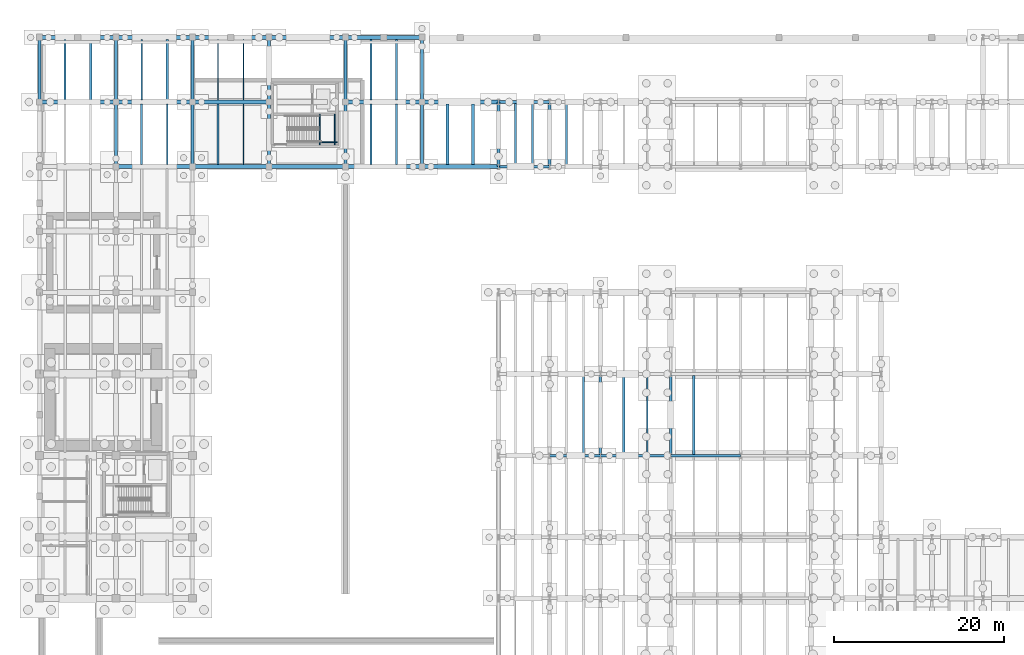
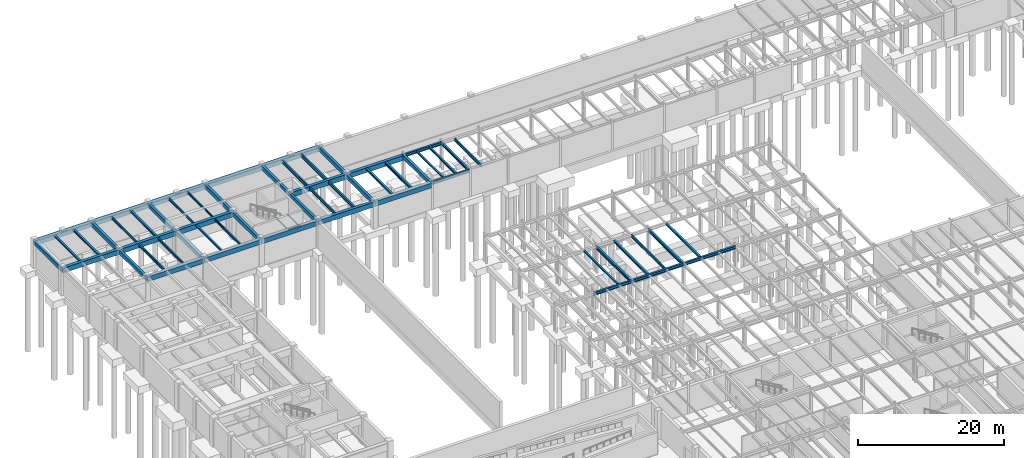
# One storey, part 33 of 59: 61 beams.
"""IFC4 building model written with IfcOpenShell, lengths in metres."""

from ifc_helpers import new_model, si_unit, direction, frame, origin, origin_2d, place, context, subcontext, project, spatial, rectangle, i_section, extrude, material, material_profile, profile_set, type_object, element, save


model = new_model("IFC4")

# Units and contexts
model_context = context("Model", 3, precision=1e-05, world=origin(), true_north=direction((0.0, 1.0)))
body_context = subcontext(model_context, "Body", "Model", "MODEL_VIEW")
ifc_project = project(units=[si_unit("LENGTHUNIT", "METRE"), si_unit("AREAUNIT", "SQUARE_METRE"), si_unit("VOLUMEUNIT", "CUBIC_METRE"), si_unit("PLANEANGLEUNIT", "RADIAN"), si_unit("MASSUNIT", "GRAM", prefix="KILO")], contexts=[model_context])

# Site, building, storey
site_placement = place(None, origin())
site = spatial("IfcSite", under=ifc_project, at=site_placement, CompositionType="ELEMENT")
building_placement = place(site_placement, origin())
building = spatial("IfcBuilding", under=site, at=building_placement, Name="Montealbar Specialist Clinic", CompositionType="ELEMENT")
storey_placement = place(building_placement, frame((0.0, 0.0, -4.800048828125)))
storey = spatial("IfcBuildingStorey", under=building, at=storey_placement, Name="B01", CompositionType="ELEMENT", Elevation=-4.800048828125)

# Beams
ifc_material_1 = material(Name="Steel S355", Category="steel")
ifc_material_profile_1 = material_profile(ifc_material_1, i_section(OverallWidth=0.300048828125, OverallDepth=0.449951171875, WebThickness=0.013916015625, FlangeThickness=0.02587890625, FilletRadius=0.027099609375, at=origin_2d()), Name="HEB 450", Category="steel")
ifc_profile_set_1 = profile_set([ifc_material_profile_1], Name="Steel S355")
beam_type_1 = type_object("IfcBeamType", Name="BM-GIRD-HEB450-EXT", PredefinedType="BEAM", material=ifc_profile_set_1)
beam_1_placement = place(storey_placement, frame((60.0, 95.800048828125, 4.275146484375), z_axis=(0.0, 1.0, 0.0), x_axis=(-1.0, 0.0, 0.0)))
element("IfcBeam", 1, at=beam_1_placement, inside=storey, type_object=beam_type_1, Name="Beam GY-B01-600-958-1034", PredefinedType="BEAM", context=body_context, shape_type="SweptSolid", body=[
    extrude(i_section(OverallWidth=0.300048828125, OverallDepth=0.449951171875, WebThickness=0.013916015625, FlangeThickness=0.02587890625, FilletRadius=0.027099609375, at=origin_2d()), origin(), (0.0, 0.0, 1.0), 7.599853515625),
])
ifc_material_profile_2 = material_profile(ifc_material_1, i_section(OverallWidth=0.300048828125, OverallDepth=0.5, WebThickness=0.014404296875, FlangeThickness=0.028076171875, FilletRadius=0.027099609375, at=origin_2d()), Name="HEB 500", Category="steel")
ifc_profile_set_2 = profile_set([ifc_material_profile_2], Name="Steel S355")
beam_type_2 = type_object("IfcBeamType", Name="BM-GIRD-HEB500", PredefinedType="BEAM", material=ifc_profile_set_2)
beam_2_placement = place(storey_placement, frame((60.0, 61.800048828125, 4.22998046875), z_axis=(1.0, 0.0, 0.0), x_axis=(0.0, 1.0, 0.0)))
element("IfcBeam", 2, at=beam_2_placement, inside=storey, type_object=beam_type_2, Name="Beam GX-B01-600-660-618", PredefinedType="BEAM", context=body_context, shape_type="SweptSolid", body=[
    extrude(i_section(OverallWidth=0.300048828125, OverallDepth=0.5, WebThickness=0.014404296875, FlangeThickness=0.028076171875, FilletRadius=0.027099609375, at=origin_2d()), origin(), (0.0, 0.0, 1.0), 6.0),
])
for number, where, z_axis, x_axis, name in (
    (3, (66.0, 61.800048828125, 4.22998046875), (1.0, 0.0, 0.0), (0.0, 1.0, 0.0), "Beam GX-B01-660-742-618"),
    (4, (74.25, 61.800048828125, 4.22998046875), (1.0, 0.0, 0.0), (0.0, 1.0, 0.0), "Beam GX-B01-742-825-618"),
):
    element("IfcBeam", number, at=place(storey_placement, frame(where, z_axis=z_axis, x_axis=x_axis)), inside=storey, type_object=beam_type_2, Name=name, PredefinedType="BEAM", context=body_context, shape_type="SweptSolid", body=[
        extrude(i_section(OverallWidth=0.300048828125, OverallDepth=0.5, WebThickness=0.014404296875, FlangeThickness=0.028076171875, FilletRadius=0.027099609375, at=origin_2d()), origin(), (0.0, 0.0, 1.0), 8.25),
    ])
for number, where, z_axis, x_axis, name in (
    (5, (66.0, 61.800048828125, 4.22998046875), (0.0, 1.0, 0.0), (-1.0, 0.0, 0.0), "Beam GY-B01-660-618-714"),
    (6, (74.25, 61.800048828125, 4.22998046875), (0.0, 1.0, 0.0), (-1.0, 0.0, 0.0), "Beam GY-B01-742-618-714"),
):
    element("IfcBeam", number, at=place(storey_placement, frame(where, z_axis=z_axis, x_axis=x_axis)), inside=storey, type_object=beam_type_2, Name=name, PredefinedType="BEAM", context=body_context, shape_type="SweptSolid", body=[
        extrude(i_section(OverallWidth=0.300048828125, OverallDepth=0.5, WebThickness=0.014404296875, FlangeThickness=0.028076171875, FilletRadius=0.027099609375, at=origin_2d()), origin(), (0.0, 0.0, 1.0), 9.599853515625),
    ])
ifc_material_profile_3 = material_profile(ifc_material_1, i_section(OverallWidth=0.300048828125, OverallDepth=0.5, WebThickness=0.014404296875, FlangeThickness=0.028076171875, FilletRadius=0.027099609375, at=origin_2d()), Name="HEB 500", Category="steel")
ifc_profile_set_3 = profile_set([ifc_material_profile_3], Name="Steel S355")
beam_type_3 = type_object("IfcBeamType", Name="BM-GIRD-HEB500-EXT", PredefinedType="BEAM", material=ifc_profile_set_3)
for number, where, z_axis, x_axis, name in (
    (7, (54.0, 95.800048828125, 4.25), (1.0, 0.0, 0.0), (0.0, 1.0, 0.0), "Beam GX-B01-540-600-958"),
    (8, (54.0, 103.39990234375, 4.25), (1.0, 0.0, 0.0), (0.0, 1.0, 0.0), "Beam GX-B01-540-600-1034"),
):
    element("IfcBeam", number, at=place(storey_placement, frame(where, z_axis=z_axis, x_axis=x_axis)), inside=storey, type_object=beam_type_3, Name=name, PredefinedType="BEAM", context=body_context, shape_type="SweptSolid", body=[
        extrude(i_section(OverallWidth=0.300048828125, OverallDepth=0.5, WebThickness=0.014404296875, FlangeThickness=0.028076171875, FilletRadius=0.027099609375, at=origin_2d()), origin(), (0.0, 0.0, 1.0), 6.0),
    ])
ifc_material_profile_4 = material_profile(ifc_material_1, i_section(OverallWidth=0.300048828125, OverallDepth=0.35009765625, WebThickness=0.010009765625, FlangeThickness=0.017578125, FilletRadius=0.027099609375, at=origin_2d()), Name="HEA 360", Category="steel")
ifc_profile_set_4 = profile_set([ifc_material_profile_4], Name="Steel S355")
beam_type_4 = type_object("IfcBeamType", Name="BM-JST-HEA360", PredefinedType="JOIST", material=ifc_profile_set_4)
beam_3_placement = place(storey_placement, frame((48.0, 96.050048828125, 4.324951171875), z_axis=(0.0, 1.0, 0.0), x_axis=(-1.0, 0.0, 0.0)))
element("IfcBeam", 9, at=beam_3_placement, inside=storey, type_object=beam_type_4, Name="Beam JST-B01-480-960-1032", PredefinedType="JOIST", context=body_context, shape_type="SweptSolid", body=[
    extrude(i_section(OverallWidth=0.300048828125, OverallDepth=0.35009765625, WebThickness=0.010009765625, FlangeThickness=0.017578125, FilletRadius=0.027099609375, at=origin_2d()), origin(), (0.0, 0.0, 1.0), 7.099853515625),
])
ifc_material_profile_5 = material_profile(ifc_material_1, i_section(OverallWidth=0.300048828125, OverallDepth=0.43994140625, WebThickness=0.011474609375, FlangeThickness=0.02099609375, FilletRadius=0.027099609375, at=origin_2d()), Name="HEA 450", Category="steel")
ifc_profile_set_5 = profile_set([ifc_material_profile_5], Name="Steel S355")
beam_type_5 = type_object("IfcBeamType", Name="BM-JST-HEA450", PredefinedType="JOIST", material=ifc_profile_set_5)
beam_4_placement = place(storey_placement, frame((51.0, 96.050048828125, 4.280029296875), z_axis=(0.0, 1.0, 0.0), x_axis=(-1.0, 0.0, 0.0)))
element("IfcBeam", 10, at=beam_4_placement, inside=storey, type_object=beam_type_5, Name="Beam JST-B01-510-960-1032", PredefinedType="JOIST", context=body_context, shape_type="SweptSolid", body=[
    extrude(i_section(OverallWidth=0.300048828125, OverallDepth=0.43994140625, WebThickness=0.011474609375, FlangeThickness=0.02099609375, FilletRadius=0.027099609375, at=origin_2d()), origin(), (0.0, 0.0, 1.0), 7.099853515625),
])
ifc_material_profile_6 = material_profile(ifc_material_1, i_section(OverallWidth=0.239990234375, OverallDepth=0.239990234375, WebThickness=0.010009765625, FlangeThickness=0.01708984375, FilletRadius=0.02099609375, at=origin_2d()), Name="HEB 240", Category="steel")
ifc_profile_set_6 = profile_set([ifc_material_profile_6], Name="Steel S355")
beam_type_6 = type_object("IfcBeamType", Name="BM-JST-HEB240", PredefinedType="JOIST", material=ifc_profile_set_6)
beam_5_placement = place(storey_placement, frame((56.0, 95.949951171875, 4.380126953125), z_axis=(0.0, 1.0, 0.0), x_axis=(-1.0, 0.0, 0.0)))
element("IfcBeam", 11, at=beam_5_placement, inside=storey, type_object=beam_type_6, Name="Beam JST-B01-560-960-1032", PredefinedType="JOIST", context=body_context, shape_type="SweptSolid", body=[
    extrude(i_section(OverallWidth=0.239990234375, OverallDepth=0.239990234375, WebThickness=0.010009765625, FlangeThickness=0.01708984375, FilletRadius=0.02099609375, at=origin_2d()), origin(), (0.0, 0.0, 1.0), 7.300048828125),
])
beam_6_placement = place(storey_placement, frame((64.0, 61.949951171875, 4.360107421875), z_axis=(0.0, 1.0, 0.0), x_axis=(-1.0, 0.0, 0.0)))
element("IfcBeam", 12, at=beam_6_placement, inside=storey, type_object=beam_type_6, Name="Beam JST-B01-640-620-712", PredefinedType="JOIST", context=body_context, shape_type="SweptSolid", body=[
    extrude(i_section(OverallWidth=0.239990234375, OverallDepth=0.239990234375, WebThickness=0.010009765625, FlangeThickness=0.01708984375, FilletRadius=0.02099609375, at=origin_2d()), origin(), (0.0, 0.0, 1.0), 9.300048828125),
])
ifc_material_profile_7 = material_profile(ifc_material_1, i_section(OverallWidth=0.280029296875, OverallDepth=0.280029296875, WebThickness=0.010498046875, FlangeThickness=0.01806640625, FilletRadius=0.02392578125, at=origin_2d()), Name="HEB 280", Category="steel")
ifc_profile_set_7 = profile_set([ifc_material_profile_7], Name="Steel S355")
beam_type_7 = type_object("IfcBeamType", Name="BM-JST-HEB280", PredefinedType="JOIST", material=ifc_profile_set_7)
beam_7_placement = place(storey_placement, frame((3.0, 103.64990234375, 4.300048828125), z_axis=(0.0, 1.0, 0.0), x_axis=(-1.0, 0.0, 0.0)))
element("IfcBeam", 13, at=beam_7_placement, inside=storey, type_object=beam_type_7, Name="Beam JST-B01-30-1036-1108", PredefinedType="JOIST", context=body_context, shape_type="SweptSolid", body=[
    extrude(i_section(OverallWidth=0.280029296875, OverallDepth=0.280029296875, WebThickness=0.010498046875, FlangeThickness=0.01806640625, FilletRadius=0.02392578125, at=origin_2d()), origin(), (0.0, 0.0, 1.0), 7.10009765625),
])
beam_8_placement = place(storey_placement, frame((58.0, 95.949951171875, 4.360107421875), z_axis=(0.0, 1.0, 0.0), x_axis=(-1.0, 0.0, 0.0)))
element("IfcBeam", 14, at=beam_8_placement, inside=storey, type_object=beam_type_7, Name="Beam JST-B01-580-960-1032", PredefinedType="JOIST", context=body_context, shape_type="SweptSolid", body=[
    extrude(i_section(OverallWidth=0.280029296875, OverallDepth=0.280029296875, WebThickness=0.010498046875, FlangeThickness=0.01806640625, FilletRadius=0.02392578125, at=origin_2d()), origin(), (0.0, 0.0, 1.0), 7.300048828125),
])
ifc_material_profile_8 = material_profile(ifc_material_1, i_section(OverallWidth=0.300048828125, OverallDepth=0.320068359375, WebThickness=0.011474609375, FlangeThickness=0.0205078125, FilletRadius=0.027099609375, at=origin_2d()), Name="HEB 320", Category="steel")
ifc_profile_set_8 = profile_set([ifc_material_profile_8], Name="Steel S355")
beam_type_8 = type_object("IfcBeamType", Name="BM-JST-HEB320", PredefinedType="JOIST", material=ifc_profile_set_8)
beam_9_placement = place(storey_placement, frame((6.0, 103.64990234375, 4.280029296875), z_axis=(0.0, 1.0, 0.0), x_axis=(-1.0, 0.0, 0.0)))
element("IfcBeam", 15, at=beam_9_placement, inside=storey, type_object=beam_type_8, Name="Beam JST-B01-60-1036-1108", PredefinedType="JOIST", context=body_context, shape_type="SweptSolid", body=[
    extrude(i_section(OverallWidth=0.300048828125, OverallDepth=0.320068359375, WebThickness=0.011474609375, FlangeThickness=0.0205078125, FilletRadius=0.027099609375, at=origin_2d()), origin(), (0.0, 0.0, 1.0), 7.10009765625),
])
beam_10_placement = place(storey_placement, frame((68.75, 61.949951171875, 4.320068359375), z_axis=(0.0, 1.0, 0.0), x_axis=(-1.0, 0.0, 0.0)))
element("IfcBeam", 16, at=beam_10_placement, inside=storey, type_object=beam_type_8, Name="Beam JST-B01-688-620-712", PredefinedType="JOIST", context=body_context, shape_type="SweptSolid", body=[
    extrude(i_section(OverallWidth=0.300048828125, OverallDepth=0.320068359375, WebThickness=0.011474609375, FlangeThickness=0.0205078125, FilletRadius=0.027099609375, at=origin_2d()), origin(), (0.0, 0.0, 1.0), 9.300048828125),
])
ifc_material_profile_9 = material_profile(ifc_material_1, i_section(OverallWidth=0.159912109375, OverallDepth=0.330078125, WebThickness=0.007568359375, FlangeThickness=0.011474609375, FilletRadius=0.01806640625, at=origin_2d()), Name="IPE 330", Category="steel")
ifc_profile_set_9 = profile_set([ifc_material_profile_9], Name="Steel S355")
beam_type_9 = type_object("IfcBeamType", Name="BM-JST-IPE330", PredefinedType="JOIST", material=ifc_profile_set_9)
beam_11_placement = place(storey_placement, frame((24.0, 103.64990234375, 4.275146484375), z_axis=(0.0, 1.0, 0.0), x_axis=(-1.0, 0.0, 0.0)))
element("IfcBeam", 17, at=beam_11_placement, inside=storey, type_object=beam_type_9, Name="Beam JST-B01-240-1036-1108", PredefinedType="JOIST", context=body_context, shape_type="SweptSolid", body=[
    extrude(i_section(OverallWidth=0.159912109375, OverallDepth=0.330078125, WebThickness=0.007568359375, FlangeThickness=0.011474609375, FilletRadius=0.01806640625, at=origin_2d()), origin(), (0.0, 0.0, 1.0), 7.10009765625),
])
ifc_material_profile_10 = material_profile(ifc_material_1, i_section(OverallWidth=0.169921875, OverallDepth=0.360107421875, WebThickness=0.008056640625, FlangeThickness=0.0126953125, FilletRadius=0.01806640625, at=origin_2d()), Name="IPE 360", Category="steel")
ifc_profile_set_10 = profile_set([ifc_material_profile_10], Name="Steel S355")
beam_type_10 = type_object("IfcBeamType", Name="BM-JST-IPE360", PredefinedType="JOIST", material=ifc_profile_set_10)
beam_12_placement = place(storey_placement, frame((24.0, 96.050048828125, 4.260009765625), z_axis=(0.0, 1.0, 0.0), x_axis=(-1.0, 0.0, 0.0)))
element("IfcBeam", 18, at=beam_12_placement, inside=storey, type_object=beam_type_10, Name="Beam JST-B01-240-960-1032", PredefinedType="JOIST", context=body_context, shape_type="SweptSolid", body=[
    extrude(i_section(OverallWidth=0.169921875, OverallDepth=0.360107421875, WebThickness=0.008056640625, FlangeThickness=0.0126953125, FilletRadius=0.01806640625, at=origin_2d()), origin(), (0.0, 0.0, 1.0), 7.099853515625),
])
beam_13_placement = place(storey_placement, frame((21.0, 103.64990234375, 4.260009765625), z_axis=(0.0, 1.0, 0.0), x_axis=(-1.0, 0.0, 0.0)))
element("IfcBeam", 19, at=beam_13_placement, inside=storey, type_object=beam_type_10, Name="Beam JST-B01-210-1036-1108", PredefinedType="JOIST", context=body_context, shape_type="SweptSolid", body=[
    extrude(i_section(OverallWidth=0.169921875, OverallDepth=0.360107421875, WebThickness=0.008056640625, FlangeThickness=0.0126953125, FilletRadius=0.01806640625, at=origin_2d()), origin(), (0.0, 0.0, 1.0), 7.10009765625),
])
ifc_material_profile_11 = material_profile(ifc_material_1, i_section(OverallWidth=0.199951171875, OverallDepth=0.5, WebThickness=0.01025390625, FlangeThickness=0.01611328125, FilletRadius=0.02099609375, at=origin_2d()), Name="IPE 500", Category="steel")
ifc_profile_set_11 = profile_set([ifc_material_profile_11], Name="Steel S355")
beam_type_11 = type_object("IfcBeamType", Name="BM-JST-IPE500", PredefinedType="JOIST", material=ifc_profile_set_11)
beam_14_placement = place(storey_placement, frame((39.0, 96.050048828125, 4.18994140625), z_axis=(0.0, 1.0, 0.0), x_axis=(-1.0, 0.0, 0.0)))
element("IfcBeam", 20, at=beam_14_placement, inside=storey, type_object=beam_type_11, Name="Beam JST-B01-390-960-1032", PredefinedType="JOIST", context=body_context, shape_type="SweptSolid", body=[
    extrude(i_section(OverallWidth=0.199951171875, OverallDepth=0.5, WebThickness=0.01025390625, FlangeThickness=0.01611328125, FilletRadius=0.02099609375, at=origin_2d()), origin(), (0.0, 0.0, 1.0), 7.099853515625),
])
ifc_material_profile_12 = material_profile(ifc_material_1, i_section(OverallWidth=0.2099609375, OverallDepth=0.550048828125, WebThickness=0.010986328125, FlangeThickness=0.01708984375, FilletRadius=0.02392578125, at=origin_2d()), Name="IPE 550", Category="steel")
ifc_profile_set_12 = profile_set([ifc_material_profile_12], Name="Steel S355")
beam_type_12 = type_object("IfcBeamType", Name="BM-JST-IPE550", PredefinedType="JOIST", material=ifc_profile_set_12)
beam_15_placement = place(storey_placement, frame((42.0, 96.050048828125, 4.1650390625), z_axis=(0.0, 1.0, 0.0), x_axis=(-1.0, 0.0, 0.0)))
element("IfcBeam", 21, at=beam_15_placement, inside=storey, type_object=beam_type_12, Name="Beam JST-B01-420-960-1032", PredefinedType="JOIST", context=body_context, shape_type="SweptSolid", body=[
    extrude(i_section(OverallWidth=0.2099609375, OverallDepth=0.550048828125, WebThickness=0.010986328125, FlangeThickness=0.01708984375, FilletRadius=0.02392578125, at=origin_2d()), origin(), (0.0, 0.0, 1.0), 7.099853515625),
])
beam_16_placement = place(storey_placement, frame((39.0, 103.64990234375, 4.1650390625), z_axis=(0.0, 1.0, 0.0), x_axis=(-1.0, 0.0, 0.0)))
element("IfcBeam", 22, at=beam_16_placement, inside=storey, type_object=beam_type_12, Name="Beam JST-B01-390-1036-1108", PredefinedType="JOIST", context=body_context, shape_type="SweptSolid", body=[
    extrude(i_section(OverallWidth=0.2099609375, OverallDepth=0.550048828125, WebThickness=0.010986328125, FlangeThickness=0.01708984375, FilletRadius=0.02392578125, at=origin_2d()), origin(), (0.0, 0.0, 1.0), 7.10009765625),
])
ifc_material_profile_13 = material_profile(ifc_material_1, i_section(OverallWidth=0.219970703125, OverallDepth=0.60009765625, WebThickness=0.011962890625, FlangeThickness=0.01904296875, FilletRadius=0.02392578125, at=origin_2d()), Name="IPE 600", Category="steel")
ifc_profile_set_13 = profile_set([ifc_material_profile_13], Name="Steel S355")
beam_type_13 = type_object("IfcBeamType", Name="BM-JST-IPE600", PredefinedType="JOIST", material=ifc_profile_set_13)
beam_17_placement = place(storey_placement, frame((42.0, 103.64990234375, 4.14013671875), z_axis=(0.0, 1.0, 0.0), x_axis=(-1.0, 0.0, 0.0)))
element("IfcBeam", 23, at=beam_17_placement, inside=storey, type_object=beam_type_13, Name="Beam JST-B01-420-1036-1108", PredefinedType="JOIST", context=body_context, shape_type="SweptSolid", body=[
    extrude(i_section(OverallWidth=0.219970703125, OverallDepth=0.60009765625, WebThickness=0.011962890625, FlangeThickness=0.01904296875, FilletRadius=0.02392578125, at=origin_2d()), origin(), (0.0, 0.0, 1.0), 7.10009765625),
])
ifc_material_profile_14 = material_profile(ifc_material_1, i_section(OverallWidth=0.10009765625, OverallDepth=0.199951171875, WebThickness=0.005615234375, FlangeThickness=0.008544921875, FilletRadius=0.011962890625, at=origin_2d()), Name="IPE 200", Category="steel")
ifc_profile_set_14 = profile_set([ifc_material_profile_14], Name="Steel S355")
beam_type_14 = type_object("IfcBeamType", Name="BM-LINT-IPE200", PredefinedType="LINTEL", material=ifc_profile_set_14)
for number, where, z_axis, x_axis, name in (
    (24, (32.97509765625, 98.39990234375, 2.10009765625), (0.0, 1.0, 0.0), (-1.0, 0.0, 0.0), "Core C2 Stair Landing Beam B01 W"),
    (25, (34.72998046875, 98.39990234375, 2.10009765625), (0.0, 1.0, 0.0), (-1.0, 0.0, 0.0), "Core C2 Stair Landing Beam B01 E"),
):
    element("IfcBeam", number, at=place(storey_placement, frame(where, z_axis=z_axis, x_axis=x_axis)), inside=storey, type_object=beam_type_14, Name=name, PredefinedType="LINTEL", context=body_context, shape_type="SweptSolid", body=[
        extrude(i_section(OverallWidth=0.10009765625, OverallDepth=0.199951171875, WebThickness=0.005615234375, FlangeThickness=0.008544921875, FilletRadius=0.011962890625, at=origin_2d()), origin(), (0.0, 0.0, 1.0), 3.550048828125),
    ])
beam_18_placement = place(storey_placement, frame((32.97509765625, 98.64990234375, 2.10009765625), z_axis=(1.0, 0.0, 0.0), x_axis=(0.0, 1.0, 0.0)))
element("IfcBeam", 26, at=beam_18_placement, inside=storey, type_object=beam_type_14, Name="Core C2 Stair Landing Tie Beam B01", PredefinedType="LINTEL", context=body_context, shape_type="SweptSolid", body=[
    extrude(i_section(OverallWidth=0.10009765625, OverallDepth=0.199951171875, WebThickness=0.005615234375, FlangeThickness=0.008544921875, FilletRadius=0.011962890625, at=origin_2d()), origin(), (0.0, 0.0, 1.0), 2.02490234375),
])
ifc_material_2 = material(Name="Concrete C35/45", Category="concrete")
ifc_material_profile_15 = material_profile(ifc_material_2, rectangle(XDim=0.39990234375, YDim=0.64990234375, at=origin_2d()), Name="RC 400x650", Category="concrete")
ifc_profile_set_15 = profile_set([ifc_material_profile_15], Name="Concrete C35/45")
beam_type_15 = type_object("IfcBeamType", Name="BM-RC-400x650", PredefinedType="BEAM", material=ifc_profile_set_15)
beam_19_placement = place(storey_placement, frame((9.0, 95.800048828125, 4.114990234375), z_axis=(0.0, 1.0, 0.0), x_axis=(-1.0, 0.0, 0.0)))
element("IfcBeam", 27, at=beam_19_placement, inside=storey, type_object=beam_type_15, Name="Beam GY-B01-90-958-1034", PredefinedType="BEAM", context=body_context, shape_type="SweptSolid", body=[
    extrude(rectangle(XDim=0.39990234375, YDim=0.64990234375, at=origin_2d()), origin(), (0.0, 0.0, 1.0), 7.599853515625),
])
beam_20_placement = place(storey_placement, frame((9.0, 103.39990234375, 4.114990234375), z_axis=(0.0, 1.0, 0.0), x_axis=(-1.0, 0.0, 0.0)))
element("IfcBeam", 28, at=beam_20_placement, inside=storey, type_object=beam_type_15, Name="Beam GY-B01-90-1034-1110", PredefinedType="BEAM", context=body_context, shape_type="SweptSolid", body=[
    extrude(rectangle(XDim=0.39990234375, YDim=0.64990234375, at=origin_2d()), origin(), (0.0, 0.0, 1.0), 7.60009765625),
])
beam_21_placement = place(storey_placement, frame((18.0, 95.800048828125, 4.114990234375), z_axis=(0.0, 1.0, 0.0), x_axis=(-1.0, 0.0, 0.0)))
element("IfcBeam", 29, at=beam_21_placement, inside=storey, type_object=beam_type_15, Name="Beam GY-B01-180-958-1034", PredefinedType="BEAM", context=body_context, shape_type="SweptSolid", body=[
    extrude(rectangle(XDim=0.39990234375, YDim=0.64990234375, at=origin_2d()), origin(), (0.0, 0.0, 1.0), 7.599853515625),
])
beam_22_placement = place(storey_placement, frame((18.0, 103.39990234375, 4.114990234375), z_axis=(0.0, 1.0, 0.0), x_axis=(-1.0, 0.0, 0.0)))
element("IfcBeam", 30, at=beam_22_placement, inside=storey, type_object=beam_type_15, Name="Beam GY-B01-180-1034-1110", PredefinedType="BEAM", context=body_context, shape_type="SweptSolid", body=[
    extrude(rectangle(XDim=0.39990234375, YDim=0.64990234375, at=origin_2d()), origin(), (0.0, 0.0, 1.0), 7.60009765625),
])
beam_23_placement = place(storey_placement, frame((27.0, 95.800048828125, 4.114990234375), z_axis=(0.0, 1.0, 0.0), x_axis=(-1.0, 0.0, 0.0)))
element("IfcBeam", 31, at=beam_23_placement, inside=storey, type_object=beam_type_15, Name="Beam GY-B01-270-958-1034", PredefinedType="BEAM", context=body_context, shape_type="SweptSolid", body=[
    extrude(rectangle(XDim=0.39990234375, YDim=0.64990234375, at=origin_2d()), origin(), (0.0, 0.0, 1.0), 7.599853515625),
])
beam_24_placement = place(storey_placement, frame((27.0, 103.39990234375, 4.114990234375), z_axis=(0.0, 1.0, 0.0), x_axis=(-1.0, 0.0, 0.0)))
element("IfcBeam", 32, at=beam_24_placement, inside=storey, type_object=beam_type_15, Name="Beam GY-B01-270-1034-1110", PredefinedType="BEAM", context=body_context, shape_type="SweptSolid", body=[
    extrude(rectangle(XDim=0.39990234375, YDim=0.64990234375, at=origin_2d()), origin(), (0.0, 0.0, 1.0), 7.60009765625),
])
beam_25_placement = place(storey_placement, frame((36.0, 95.800048828125, 4.114990234375), z_axis=(0.0, 1.0, 0.0), x_axis=(-1.0, 0.0, 0.0)))
element("IfcBeam", 33, at=beam_25_placement, inside=storey, type_object=beam_type_15, Name="Beam GY-B01-360-958-1034", PredefinedType="BEAM", context=body_context, shape_type="SweptSolid", body=[
    extrude(rectangle(XDim=0.39990234375, YDim=0.64990234375, at=origin_2d()), origin(), (0.0, 0.0, 1.0), 7.599853515625),
])
beam_26_placement = place(storey_placement, frame((36.0, 103.39990234375, 4.114990234375), z_axis=(0.0, 1.0, 0.0), x_axis=(-1.0, 0.0, 0.0)))
element("IfcBeam", 34, at=beam_26_placement, inside=storey, type_object=beam_type_15, Name="Beam GY-B01-360-1034-1110", PredefinedType="BEAM", context=body_context, shape_type="SweptSolid", body=[
    extrude(rectangle(XDim=0.39990234375, YDim=0.64990234375, at=origin_2d()), origin(), (0.0, 0.0, 1.0), 7.60009765625),
])
ifc_material_profile_16 = material_profile(ifc_material_2, rectangle(XDim=0.39990234375, YDim=0.64990234375, at=origin_2d()), Name="RC 400x650", Category="concrete")
ifc_profile_set_16 = profile_set([ifc_material_profile_16], Name="Concrete C35/45")
beam_type_16 = type_object("IfcBeamType", Name="BM-RC-400x650-EXT", PredefinedType="BEAM", material=ifc_profile_set_16)
beam_27_placement = place(storey_placement, frame((0.0, 103.39990234375, 4.114990234375), z_axis=(0.0, 1.0, 0.0), x_axis=(-1.0, 0.0, 0.0)))
element("IfcBeam", 35, at=beam_27_placement, inside=storey, type_object=beam_type_16, Name="Beam GY-B01-0-1034-1110", PredefinedType="BEAM", context=body_context, shape_type="SweptSolid", body=[
    extrude(rectangle(XDim=0.39990234375, YDim=0.64990234375, at=origin_2d()), origin(), (0.0, 0.0, 1.0), 7.60009765625),
])
beam_28_placement = place(storey_placement, frame((45.0, 95.800048828125, 4.114990234375), z_axis=(0.0, 1.0, 0.0), x_axis=(-1.0, 0.0, 0.0)))
element("IfcBeam", 36, at=beam_28_placement, inside=storey, type_object=beam_type_16, Name="Beam GY-B01-450-958-1034", PredefinedType="BEAM", context=body_context, shape_type="SweptSolid", body=[
    extrude(rectangle(XDim=0.39990234375, YDim=0.64990234375, at=origin_2d()), origin(), (0.0, 0.0, 1.0), 7.599853515625),
])
beam_29_placement = place(storey_placement, frame((45.0, 103.39990234375, 4.114990234375), z_axis=(0.0, 1.0, 0.0), x_axis=(-1.0, 0.0, 0.0)))
element("IfcBeam", 37, at=beam_29_placement, inside=storey, type_object=beam_type_16, Name="Beam GY-B01-450-1034-1110", PredefinedType="BEAM", context=body_context, shape_type="SweptSolid", body=[
    extrude(rectangle(XDim=0.39990234375, YDim=0.64990234375, at=origin_2d()), origin(), (0.0, 0.0, 1.0), 7.60009765625),
])
beam_30_placement = place(storey_placement, frame((54.0, 95.800048828125, 4.175048828125), z_axis=(0.0, 1.0, 0.0), x_axis=(-1.0, 0.0, 0.0)))
element("IfcBeam", 38, at=beam_30_placement, inside=storey, type_object=beam_type_16, Name="Beam GY-B01-540-958-1034", PredefinedType="BEAM", context=body_context, shape_type="SweptSolid", body=[
    extrude(rectangle(XDim=0.39990234375, YDim=0.64990234375, at=origin_2d()), origin(), (0.0, 0.0, 1.0), 7.599853515625),
])
ifc_material_profile_17 = material_profile(ifc_material_2, rectangle(XDim=0.5, YDim=0.800048828125, at=origin_2d()), Name="RC 500x800", Category="concrete")
ifc_profile_set_17 = profile_set([ifc_material_profile_17], Name="Concrete C35/45")
beam_type_17 = type_object("IfcBeamType", Name="BM-RC-500x800", PredefinedType="BEAM", material=ifc_profile_set_17)
for number, where, z_axis, x_axis, name in (
    (39, (9.0, 95.800048828125, 4.0400390625), (1.0, 0.0, 0.0), (0.0, 1.0, 0.0), "Beam GX-B01-90-180-958"),
    (40, (0.0, 103.39990234375, 4.0400390625), (1.0, 0.0, 0.0), (0.0, 1.0, 0.0), "Beam GX-B01-0-90-1034"),
    (41, (9.0, 103.39990234375, 4.0400390625), (1.0, 0.0, 0.0), (0.0, 1.0, 0.0), "Beam GX-B01-90-180-1034"),
    (42, (18.0, 103.39990234375, 4.0400390625), (1.0, 0.0, 0.0), (0.0, 1.0, 0.0), "Beam GX-B01-180-270-1034"),
    (43, (36.0, 103.39990234375, 4.0400390625), (1.0, 0.0, 0.0), (0.0, 1.0, 0.0), "Beam GX-B01-360-450-1034"),
):
    element("IfcBeam", number, at=place(storey_placement, frame(where, z_axis=z_axis, x_axis=x_axis)), inside=storey, type_object=beam_type_17, Name=name, PredefinedType="BEAM", context=body_context, shape_type="SweptSolid", body=[
        extrude(rectangle(XDim=0.5, YDim=0.800048828125, at=origin_2d()), origin(), (0.0, 0.0, 1.0), 9.0),
    ])
ifc_material_profile_18 = material_profile(ifc_material_2, rectangle(XDim=0.5, YDim=0.800048828125, at=origin_2d()), Name="RC 500x800", Category="concrete")
ifc_profile_set_18 = profile_set([ifc_material_profile_18], Name="Concrete C35/45")
beam_type_18 = type_object("IfcBeamType", Name="BM-RC-500x800-EXT", PredefinedType="BEAM", material=ifc_profile_set_18)
for number, where, z_axis, x_axis, name in (
    (44, (18.0, 95.800048828125, 4.0400390625), (1.0, 0.0, 0.0), (0.0, 1.0, 0.0), "Beam GX-B01-180-270-958"),
    (45, (27.0, 95.800048828125, 4.0400390625), (1.0, 0.0, 0.0), (0.0, 1.0, 0.0), "Beam GX-B01-270-360-958"),
    (46, (36.0, 95.800048828125, 4.0400390625), (1.0, 0.0, 0.0), (0.0, 1.0, 0.0), "Beam GX-B01-360-450-958"),
    (47, (45.0, 95.800048828125, 4.0400390625), (1.0, 0.0, 0.0), (0.0, 1.0, 0.0), "Beam GX-B01-450-540-958"),
    (48, (45.0, 103.39990234375, 4.0400390625), (1.0, 0.0, 0.0), (0.0, 1.0, 0.0), "Beam GX-B01-450-540-1034"),
    (49, (0.0, 111.0, 4.0400390625), (1.0, 0.0, 0.0), (0.0, 1.0, 0.0), "Beam GX-B01-0-90-1110"),
    (50, (9.0, 111.0, 4.0400390625), (1.0, 0.0, 0.0), (0.0, 1.0, 0.0), "Beam GX-B01-90-180-1110"),
    (51, (18.0, 111.0, 4.0400390625), (1.0, 0.0, 0.0), (0.0, 1.0, 0.0), "Beam GX-B01-180-270-1110"),
    (52, (27.0, 111.0, 4.0400390625), (1.0, 0.0, 0.0), (0.0, 1.0, 0.0), "Beam GX-B01-270-360-1110"),
    (53, (36.0, 111.0, 4.0400390625), (1.0, 0.0, 0.0), (0.0, 1.0, 0.0), "Beam GX-B01-360-450-1110"),
):
    element("IfcBeam", number, at=place(storey_placement, frame(where, z_axis=z_axis, x_axis=x_axis)), inside=storey, type_object=beam_type_18, Name=name, PredefinedType="BEAM", context=body_context, shape_type="SweptSolid", body=[
        extrude(rectangle(XDim=0.5, YDim=0.800048828125, at=origin_2d()), origin(), (0.0, 0.0, 1.0), 9.0),
    ])
ifc_material_profile_19 = material_profile(ifc_material_1, i_section(OverallWidth=0.179931640625, OverallDepth=0.39990234375, WebThickness=0.008544921875, FlangeThickness=0.013427734375, FilletRadius=0.02099609375, at=origin_2d()), Name="IPE 400", Category="steel")
ifc_profile_set_19 = profile_set([ifc_material_profile_19], Name="Steel S355")
beam_type_19 = type_object("IfcBeamType", Name="BM-SEC-IPE400", PredefinedType="BEAM", material=ifc_profile_set_19)
beam_31_placement = place(storey_placement, frame((15.0, 96.050048828125, 4.239990234375), z_axis=(0.0, 1.0, 0.0), x_axis=(-1.0, 0.0, 0.0)))
element("IfcBeam", 54, at=beam_31_placement, inside=storey, type_object=beam_type_19, Name="Beam JST-B01-150-960-1032", PredefinedType="BEAM", context=body_context, shape_type="SweptSolid", body=[
    extrude(i_section(OverallWidth=0.179931640625, OverallDepth=0.39990234375, WebThickness=0.008544921875, FlangeThickness=0.013427734375, FilletRadius=0.02099609375, at=origin_2d()), origin(), (0.0, 0.0, 1.0), 7.099853515625),
])
beam_32_placement = place(storey_placement, frame((12.0, 103.64990234375, 4.239990234375), z_axis=(0.0, 1.0, 0.0), x_axis=(-1.0, 0.0, 0.0)))
element("IfcBeam", 55, at=beam_32_placement, inside=storey, type_object=beam_type_19, Name="Beam JST-B01-120-1036-1108", PredefinedType="BEAM", context=body_context, shape_type="SweptSolid", body=[
    extrude(i_section(OverallWidth=0.179931640625, OverallDepth=0.39990234375, WebThickness=0.008544921875, FlangeThickness=0.013427734375, FilletRadius=0.02099609375, at=origin_2d()), origin(), (0.0, 0.0, 1.0), 7.10009765625),
])
ifc_material_profile_20 = material_profile(ifc_material_1, i_section(OverallWidth=0.18994140625, OverallDepth=0.449951171875, WebThickness=0.009521484375, FlangeThickness=0.0146484375, FilletRadius=0.02099609375, at=origin_2d()), Name="IPE 450", Category="steel")
ifc_profile_set_20 = profile_set([ifc_material_profile_20], Name="Steel S355")
beam_type_20 = type_object("IfcBeamType", Name="BM-SEC-IPE450", PredefinedType="BEAM", material=ifc_profile_set_20)
beam_33_placement = place(storey_placement, frame((12.0, 96.050048828125, 4.215087890625), z_axis=(0.0, 1.0, 0.0), x_axis=(-1.0, 0.0, 0.0)))
element("IfcBeam", 56, at=beam_33_placement, inside=storey, type_object=beam_type_20, Name="Beam JST-B01-120-960-1032", PredefinedType="BEAM", context=body_context, shape_type="SweptSolid", body=[
    extrude(i_section(OverallWidth=0.18994140625, OverallDepth=0.449951171875, WebThickness=0.009521484375, FlangeThickness=0.0146484375, FilletRadius=0.02099609375, at=origin_2d()), origin(), (0.0, 0.0, 1.0), 7.099853515625),
])
beam_34_placement = place(storey_placement, frame((62.0, 95.949951171875, 4.275146484375), z_axis=(0.0, 1.0, 0.0), x_axis=(-1.0, 0.0, 0.0)))
element("IfcBeam", 57, at=beam_34_placement, inside=storey, type_object=beam_type_20, Name="Beam JST-B01-620-960-1032", PredefinedType="BEAM", context=body_context, shape_type="SweptSolid", body=[
    extrude(i_section(OverallWidth=0.18994140625, OverallDepth=0.449951171875, WebThickness=0.009521484375, FlangeThickness=0.0146484375, FilletRadius=0.02099609375, at=origin_2d()), origin(), (0.0, 0.0, 1.0), 7.300048828125),
])
beam_35_placement = place(storey_placement, frame((71.5, 61.949951171875, 4.255126953125), z_axis=(0.0, 1.0, 0.0), x_axis=(-1.0, 0.0, 0.0)))
element("IfcBeam", 58, at=beam_35_placement, inside=storey, type_object=beam_type_20, Name="Beam JST-B01-715-620-712", PredefinedType="BEAM", context=body_context, shape_type="SweptSolid", body=[
    extrude(i_section(OverallWidth=0.18994140625, OverallDepth=0.449951171875, WebThickness=0.009521484375, FlangeThickness=0.0146484375, FilletRadius=0.02099609375, at=origin_2d()), origin(), (0.0, 0.0, 1.0), 9.300048828125),
])
ifc_material_profile_21 = material_profile(ifc_material_1, i_section(OverallWidth=0.239990234375, OverallDepth=0.22998046875, WebThickness=0.007568359375, FlangeThickness=0.011962890625, FilletRadius=0.02099609375, at=origin_2d()), Name="HEA 240", Category="steel")
ifc_profile_set_21 = profile_set([ifc_material_profile_21], Name="Steel S355")
beam_type_21 = type_object("IfcBeamType", Name="BM-SPAND-HEA240", PredefinedType="SPANDREL", material=ifc_profile_set_21)
beam_36_placement = place(storey_placement, frame((21.0, 96.050048828125, 4.324951171875), z_axis=(0.0, 1.0, 0.0), x_axis=(-1.0, 0.0, 0.0)))
element("IfcBeam", 59, at=beam_36_placement, inside=storey, type_object=beam_type_21, Name="Beam JST-B01-210-960-1032", PredefinedType="SPANDREL", context=body_context, shape_type="SweptSolid", body=[
    extrude(i_section(OverallWidth=0.239990234375, OverallDepth=0.22998046875, WebThickness=0.007568359375, FlangeThickness=0.011962890625, FilletRadius=0.02099609375, at=origin_2d()), origin(), (0.0, 0.0, 1.0), 7.099853515625),
])
ifc_material_profile_22 = material_profile(ifc_material_1, i_section(OverallWidth=0.300048828125, OverallDepth=0.2900390625, WebThickness=0.008544921875, FlangeThickness=0.013916015625, FilletRadius=0.027099609375, at=origin_2d()), Name="HEA 300", Category="steel")
ifc_profile_set_22 = profile_set([ifc_material_profile_22], Name="Steel S355")
beam_type_22 = type_object("IfcBeamType", Name="BM-SPAND-HEA300", PredefinedType="SPANDREL", material=ifc_profile_set_22)
beam_37_placement = place(storey_placement, frame((15.0, 103.64990234375, 4.295166015625), z_axis=(0.0, 1.0, 0.0), x_axis=(-1.0, 0.0, 0.0)))
element("IfcBeam", 60, at=beam_37_placement, inside=storey, type_object=beam_type_22, Name="Beam JST-B01-150-1036-1108", PredefinedType="SPANDREL", context=body_context, shape_type="SweptSolid", body=[
    extrude(i_section(OverallWidth=0.300048828125, OverallDepth=0.2900390625, WebThickness=0.008544921875, FlangeThickness=0.013916015625, FilletRadius=0.027099609375, at=origin_2d()), origin(), (0.0, 0.0, 1.0), 7.10009765625),
])
beam_38_placement = place(storey_placement, frame((77.0, 61.949951171875, 4.3349609375), z_axis=(0.0, 1.0, 0.0), x_axis=(-1.0, 0.0, 0.0)))
element("IfcBeam", 61, at=beam_38_placement, inside=storey, type_object=beam_type_22, Name="Beam JST-B01-770-620-712", PredefinedType="SPANDREL", context=body_context, shape_type="SweptSolid", body=[
    extrude(i_section(OverallWidth=0.300048828125, OverallDepth=0.2900390625, WebThickness=0.008544921875, FlangeThickness=0.013916015625, FilletRadius=0.027099609375, at=origin_2d()), origin(), (0.0, 0.0, 1.0), 9.300048828125),
])

save(model, "model.ifc")
